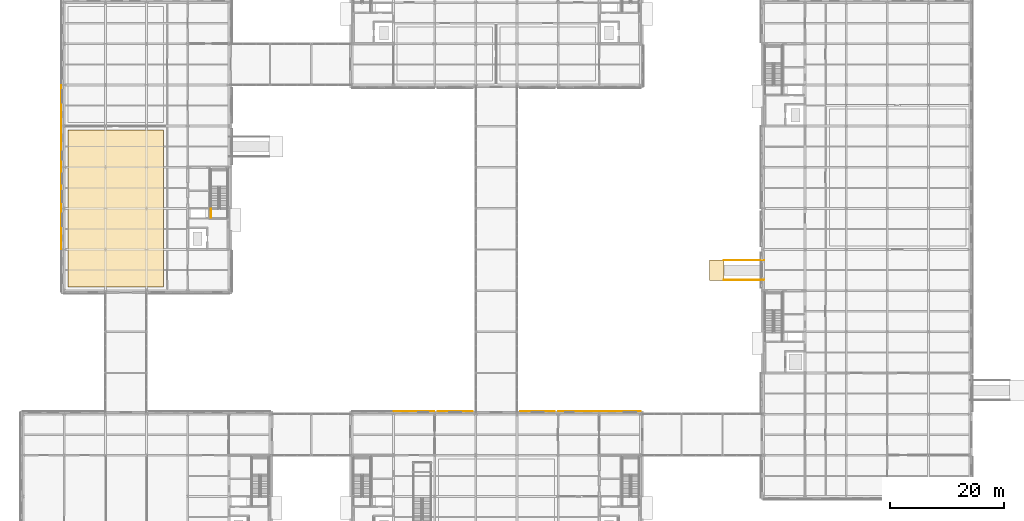
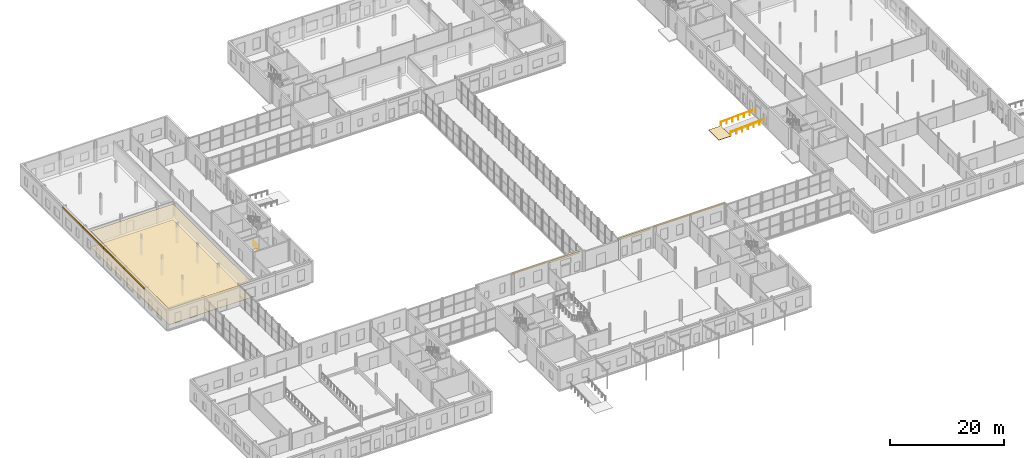
# One storey, part 79 of 92: 12 coverings, 3 railings.
"""IFC4 building model written with IfcOpenShell, lengths in metres."""

from ifc_helpers import new_model, si_unit, direction, frame, origin, origin_2d, place, context, subcontext, project, spatial, polyline, rectangle, circle, outline, extrude, material, layer, layer_set, type_object, element, save


model = new_model("IFC4")

# Units and contexts
model_context = context("Model", 3, precision=1e-05, world=origin(), true_north=direction((0.0, 1.0)))
body_context = subcontext(model_context, "Body", "Model", "MODEL_VIEW")
ifc_project = project(units=[si_unit("LENGTHUNIT", "METRE"), si_unit("AREAUNIT", "SQUARE_METRE"), si_unit("VOLUMEUNIT", "CUBIC_METRE"), si_unit("PLANEANGLEUNIT", "RADIAN"), si_unit("MASSUNIT", "GRAM", prefix="KILO")], contexts=[model_context])

# Site, building, storey
site_placement = place(None, origin())
site = spatial("IfcSite", under=ifc_project, at=site_placement, CompositionType="ELEMENT")
building_placement = place(site_placement, origin())
building = spatial("IfcBuilding", under=site, at=building_placement, Name="Zlatovets Crest Museum", CompositionType="ELEMENT")
storey_placement = place(building_placement, origin())
storey = spatial("IfcBuildingStorey", under=building, at=storey_placement, Name="L00", CompositionType="ELEMENT", Elevation=0.0)

# Coverings
ifc_material_1 = material(Name="Micro-perforated gypsum acoustic gallery ceiling")
ifc_layer_1 = layer(ifc_material_1, 0.050048828125)
ifc_layer_set_1 = layer_set([ifc_layer_1], Name="Micro-perforated gypsum acoustic gallery ceiling")
covering_type_1 = type_object("IfcCoveringType", Name="GalleryCeiling_CLG1", PredefinedType="CEILING", material=ifc_layer_set_1)
covering_1_placement = place(storey_placement, frame((0.0, 0.0, 3.389892578125)))
element("IfcCovering", 1, at=covering_1_placement, inside=storey, type_object=covering_type_1, Name="Vitosha Geology and Paleobotany Gallery Acoustic Ceiling", PredefinedType="CEILING", context=body_context, shape_type="SweptSolid", body=[
    extrude(outline(polyline([(7.85009765625, 51.050048828125), (24.550048828125, 51.050048828125), (24.550048828125, 78.550048828125), (7.85009765625, 78.550048828125), (7.85009765625, 51.050048828125)])), origin(), (0.0, 0.0, 1.0), 0.050048828125),
])
ifc_material_2 = material(Name="Quarter-sawn European oak herringbone gallery parquet")
ifc_layer_2 = layer(ifc_material_2, 0.030029296875)
ifc_layer_set_2 = layer_set([ifc_layer_2], Name="Quarter-sawn European oak herringbone gallery parquet")
covering_type_2 = type_object("IfcCoveringType", Name="GalleryFloor_FLR1", PredefinedType="FLOORING", material=ifc_layer_set_2)
covering_2_placement = place(storey_placement, origin())
element("IfcCovering", 2, at=covering_2_placement, inside=storey, type_object=covering_type_2, Name="Vitosha Geology and Paleobotany Gallery Floor Finish", PredefinedType="FLOORING", context=body_context, shape_type="SweptSolid", body=[
    extrude(outline(polyline([(7.85009765625, 51.050048828125), (24.550048828125, 51.050048828125), (24.550048828125, 78.550048828125), (7.85009765625, 78.550048828125), (7.85009765625, 51.050048828125)])), origin(), (0.0, 0.0, 1.0), 0.030029296875),
])
ifc_material_3 = material(Name="Polychrome turquoise-gold glazed majolica ceramic frieze")
ifc_layer_3 = layer(ifc_material_3, 0.0400390625)
ifc_layer_set_3 = layer_set([ifc_layer_3], Name="Polychrome turquoise-gold glazed majolica ceramic frieze")
covering_type_3 = type_object("IfcCoveringType", Name="MajolicaFrieze_CL01", PredefinedType="CLADDING", material=ifc_layer_set_3)
for number, where, z_axis, x_axis, name in (
    (3, (104.482421875, 29.330078125, 4.010009765625), (0.0, 0.0, 1.0), (1.0, 0.0, 0.0), "Sofia Secession Majolica Plinth Frieze"),
    (4, (97.199951171875, 29.330078125, 4.010009765625), (0.0, 0.0, 1.0), (1.0, 0.0, 0.0), "Sofia Secession Majolica Plinth Frieze"),
):
    element("IfcCovering", number, at=place(storey_placement, frame(where, z_axis=z_axis, x_axis=x_axis)), inside=storey, type_object=covering_type_3, Name=name, PredefinedType="CLADDING", context=body_context, shape_type="SweptSolid", body=[
        extrude(rectangle(XDim=7.10009765625, YDim=0.0400390625, at=origin_2d()), origin(), (0.0, 0.0, 1.0), 0.419921875),
    ])
for number, where, z_axis, x_axis, name in (
    (5, (90.0, 29.320068359375, 3.81005859375), (0.0, 0.0, 1.0), (1.0, 0.0, 0.0), "Art Nouveau Portal Secession Archivolt Crown"),
    (6, (75.60009765625, 29.320068359375, 3.81005859375), (0.0, 0.0, 1.0), (1.0, 0.0, 0.0), "Art Nouveau Portal Secession Archivolt Crown"),
):
    element("IfcCovering", number, at=place(storey_placement, frame(where, z_axis=z_axis, x_axis=x_axis)), inside=storey, type_object=covering_type_3, Name=name, PredefinedType="CLADDING", context=body_context, shape_type="SweptSolid", body=[
        extrude(rectangle(XDim=6.10009765625, YDim=0.06005859375, at=origin_2d()), origin(), (0.0, 0.0, 1.0), 0.47998046875),
    ])
for number, where, z_axis, x_axis, name in (
    (7, (68.39990234375, 29.330078125, 4.010009765625), (0.0, 0.0, 1.0), (1.0, 0.0, 0.0), "Sofia Secession Majolica Plinth Frieze"),
    (8, (6.669921875, 82.800048828125, 4.010009765625), (0.0, 0.0, 1.0), (0.0, 1.0, 0.0), "Sofia Secession Majolica Plinth Frieze"),
    (9, (6.669921875, 75.60009765625, 4.010009765625), (0.0, 0.0, 1.0), (0.0, 1.0, 0.0), "Sofia Secession Majolica Plinth Frieze"),
    (10, (6.669921875, 68.39990234375, 4.010009765625), (0.0, 0.0, 1.0), (0.0, 1.0, 0.0), "Sofia Secession Majolica Plinth Frieze"),
    (11, (6.669921875, 61.199951171875, 4.010009765625), (0.0, 0.0, 1.0), (0.0, 1.0, 0.0), "Sofia Secession Majolica Plinth Frieze"),
):
    element("IfcCovering", number, at=place(storey_placement, frame(where, z_axis=z_axis, x_axis=x_axis)), inside=storey, type_object=covering_type_3, Name=name, PredefinedType="CLADDING", context=body_context, shape_type="SweptSolid", body=[
        extrude(rectangle(XDim=7.10009765625, YDim=0.0400390625, at=origin_2d()), origin(), (0.0, 0.0, 1.0), 0.419921875),
    ])

# Railings
ifc_material_4 = material(Name="Brushed bronze tubular handrail")
railing_type_1 = type_object("IfcRailingType", Name="RampRail_HR02", PredefinedType="HANDRAIL", material=ifc_material_4)
for number, where, name in (
    (12, (122.60009765625, 52.280029296875, -0.35009765625), "East Court Step-Free Ramp Handrail 1"),
    (13, (122.60009765625, 55.719970703125, -0.35009765625), "East Court Step-Free Ramp Handrail 2"),
):
    element("IfcRailing", number, at=place(storey_placement, frame(where)), inside=storey, type_object=railing_type_1, Name=name, PredefinedType="HANDRAIL", context=body_context, shape_type="SweptSolid", body=[
        extrude(circle(Radius=0.02392578125, at=origin_2d()), frame((0.0, 0.0, 0.89599609375), z_axis=(0.998751643845, 0.0, 0.049951515669), x_axis=(0.0, 1.0, 0.0)), (0.0, 0.0, 1.0), 7.0087890625),
        extrude(circle(Radius=0.02099609375, at=origin_2d()), origin(), (0.0, 0.0, 1.0), 0.871826171875),
        extrude(circle(Radius=0.02099609375, at=origin_2d()), frame((1.166748046875, 0.0, 0.058349609375)), (0.0, 0.0, 1.0), 0.871826171875),
        extrude(circle(Radius=0.02099609375, at=origin_2d()), frame((2.333251953125, 0.0, 0.11669921875)), (0.0, 0.0, 1.0), 0.871826171875),
        extrude(circle(Radius=0.02099609375, at=origin_2d()), frame((3.5, 0.0, 0.175048828125)), (0.0, 0.0, 1.0), 0.871826171875),
        extrude(circle(Radius=0.02099609375, at=origin_2d()), frame((4.666748046875, 0.0, 0.2333984375)), (0.0, 0.0, 1.0), 0.871826171875),
        extrude(circle(Radius=0.02099609375, at=origin_2d()), frame((5.833251953125, 0.0, 0.291748046875)), (0.0, 0.0, 1.0), 0.871826171875),
        extrude(circle(Radius=0.02099609375, at=origin_2d()), frame((7.0, 0.0, 0.35009765625)), (0.0, 0.0, 1.0), 0.871826171875),
    ])

# Covering
ifc_material_5 = material(Name="Bush-hammered Vratsa stone court paving", Category="masonry")
ifc_layer_4 = layer(ifc_material_5, 0.080078125)
ifc_layer_set_4 = layer_set([ifc_layer_4], Name="Bush-hammered Vratsa stone court paving")
covering_type_4 = type_object("IfcCoveringType", Name="SitePaving_PV01", PredefinedType="USERDEFINED", material=ifc_layer_set_4)
covering_3_placement = place(storey_placement, frame((0.0, 0.0, -0.429931640625)))
element("IfcCovering", 14, at=covering_3_placement, inside=storey, type_object=covering_type_4, Name="East Court Step-Free Ramp Approach Paving", ObjectType="PAVING", PredefinedType="USERDEFINED", context=body_context, shape_type="SweptSolid", body=[
    extrude(outline(polyline([(122.60009765625, 52.199951171875), (122.60009765625, 55.800048828125), (120.10009765625, 55.800048828125), (120.10009765625, 52.199951171875), (122.60009765625, 52.199951171875)])), origin(), (0.0, 0.0, 1.0), 0.079833984375),
])

# Railing
ifc_material_6 = material(Name="Painted steel safety guardrail", Category="steel")
railing_type_2 = type_object("IfcRailingType", Name="StairGuard_SG01", PredefinedType="GUARDRAIL", material=ifc_material_6)
railing_placement = place(storey_placement, frame((32.85009765625, 63.199951171875, 0.0)))
element("IfcRailing", 15, at=railing_placement, inside=storey, type_object=railing_type_2, Name="L00 ST4 stair guard 8", PredefinedType="GUARDRAIL", context=body_context, shape_type="SweptSolid", body=[
    extrude(circle(Radius=0.02392578125, at=origin_2d()), frame((0.0, 0.0, 1.076171875), z_axis=(0.0, 1.0, 0.0), x_axis=(-1.0, 0.0, 0.0)), (0.0, 0.0, 1.0), 1.5),
    extrude(circle(Radius=0.02099609375, at=origin_2d()), origin(), (0.0, 0.0, 1.0), 1.052001953125),
    extrude(circle(Radius=0.02099609375, at=origin_2d()), frame((0.0, 0.75, 0.0)), (0.0, 0.0, 1.0), 1.052001953125),
    extrude(circle(Radius=0.02099609375, at=origin_2d()), frame((0.0, 1.5, 0.0)), (0.0, 0.0, 1.0), 1.052001953125),
])

save(model, "model.ifc")
